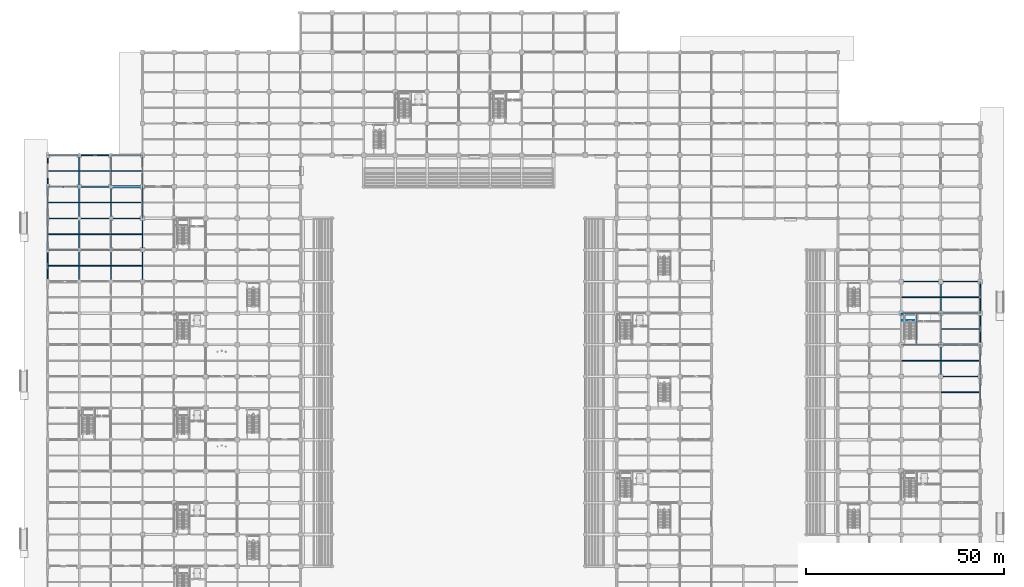
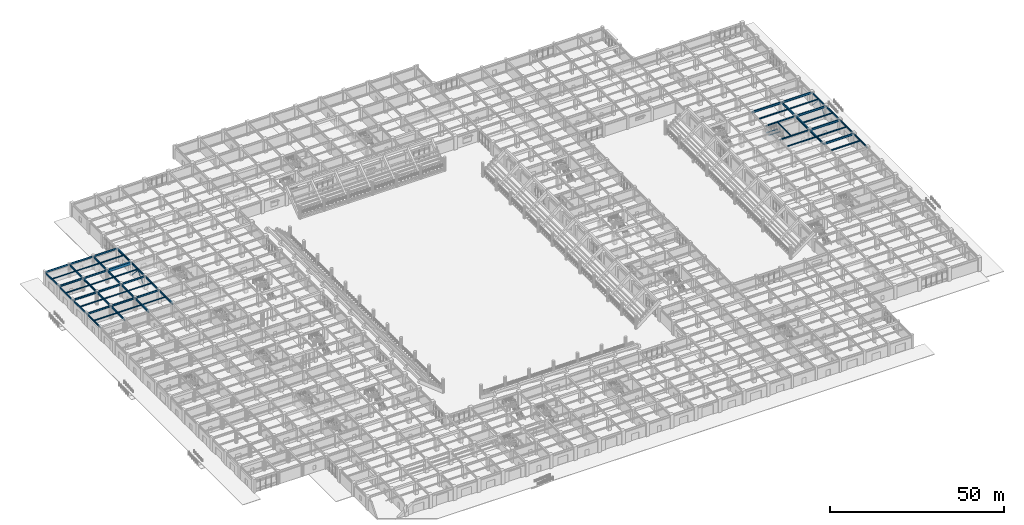
# One storey, part 42 of 125: 63 beams, 4 members.
"""IFC4 building model written with IfcOpenShell, lengths in metres."""

from ifc_helpers import new_model, si_unit, direction, frame, origin, origin_2d, place, context, subcontext, project, spatial, rectangle, hollow_rectangle, i_section, extrude, material, material_profile, profile_set, type_object, element, save


model = new_model("IFC4")

# Units and contexts
model_context = context("Model", 3, precision=1e-05, world=origin(), true_north=direction((0.0, 1.0)))
body_context = subcontext(model_context, "Body", "Model", "MODEL_VIEW")
ifc_project = project(units=[si_unit("LENGTHUNIT", "METRE"), si_unit("AREAUNIT", "SQUARE_METRE"), si_unit("VOLUMEUNIT", "CUBIC_METRE"), si_unit("PLANEANGLEUNIT", "RADIAN"), si_unit("MASSUNIT", "GRAM", prefix="KILO")], contexts=[model_context])

# Site, building, storey
site_placement = place(None, origin())
site = spatial("IfcSite", under=ifc_project, at=site_placement, CompositionType="ELEMENT")
building_placement = place(site_placement, origin())
building = spatial("IfcBuilding", under=site, at=building_placement, Name="Haebicheon Civic Stadium", CompositionType="ELEMENT")
storey_placement = place(building_placement, origin())
storey = spatial("IfcBuildingStorey", under=building, at=storey_placement, Name="L01", CompositionType="ELEMENT", Elevation=0.0)

# Beams
ifc_material_1 = material(Name="Steel SM355 (S355)", Category="steel")
ifc_material_profile_1 = material_profile(ifc_material_1, i_section(OverallWidth=0.199951171875, OverallDepth=0.5, WebThickness=0.010009765625, FlangeThickness=0.01611328125, at=origin_2d()), Name="H-500x200x10x16")
ifc_profile_set_1 = profile_set([ifc_material_profile_1], Name="Steel SM355 (S355)")
beam_type_1 = type_object("IfcBeamType", Name="BM-ST-H500", PredefinedType="BEAM", material=ifc_profile_set_1)
for number, where, z_axis, x_axis, name in (
    (1, (216.0, 104.0, 4.27001953125), (1.0, 0.0, 0.0), (0.0, 1.0, 0.0), "L01 beam P/28-29"),
    (2, (216.0, 112.0, 4.27001953125), (1.0, 0.0, 0.0), (0.0, 1.0, 0.0), "L01 beam Q/28-29"),
):
    element("IfcBeam", number, at=place(storey_placement, frame(where, z_axis=z_axis, x_axis=x_axis)), inside=storey, type_object=beam_type_1, material=ifc_profile_set_1, Name=name, PredefinedType="BEAM", context=body_context, shape_type="SweptSolid", body=[
        extrude(i_section(OverallWidth=0.199951171875, OverallDepth=0.5, WebThickness=0.010009765625, FlangeThickness=0.01611328125, at=origin_2d()), origin(), (0.0, 0.0, 1.0), 10.0),
    ])
beam_1_placement = place(storey_placement, frame((219.8798828125, 104.10009765625, 4.27001953125), z_axis=(0.0, 1.0, 0.0), x_axis=(-1.0, 0.0, 0.0)))
element("IfcBeam", 3, at=beam_1_placement, inside=storey, type_object=beam_type_1, material=ifc_profile_set_1, Name="L01 KC-13 core dividing wall support beam", PredefinedType="BEAM", context=body_context, shape_type="SweptSolid", body=[
    extrude(i_section(OverallWidth=0.199951171875, OverallDepth=0.5, WebThickness=0.010009765625, FlangeThickness=0.01611328125, at=origin_2d()), origin(), (0.0, 0.0, 1.0), 7.7998046875),
])
ifc_material_2 = material(Name="Steel SM355 (S355)", Category="steel")
ifc_material_profile_2 = material_profile(ifc_material_2, i_section(OverallWidth=0.300048828125, OverallDepth=0.60009765625, WebThickness=0.011962890625, FlangeThickness=0.02001953125, at=origin_2d()), Name="H-600x300x12x20")
ifc_profile_set_2 = profile_set([ifc_material_profile_2], Name="Steel SM355 (S355)")
beam_type_2 = type_object("IfcBeamType", Name="BM-ST-H600A", PredefinedType="BEAM", material=ifc_profile_set_2)
for number, where, z_axis, x_axis, name in (
    (4, (0.0, 128.0, 4.219970703125), (1.0, 0.0, 0.0), (0.0, 1.0, 0.0), "L01 beam S/1-2"),
    (5, (0.0, 136.0, 4.219970703125), (1.0, 0.0, 0.0), (0.0, 1.0, 0.0), "L01 beam T/1-2"),
    (6, (0.0, 144.0, 4.219970703125), (1.0, 0.0, 0.0), (0.0, 1.0, 0.0), "L01 beam U/1-2"),
    (7, (8.0, 128.0, 4.219970703125), (1.0, 0.0, 0.0), (0.0, 1.0, 0.0), "L01 beam S/2-3"),
    (8, (8.0, 136.0, 4.219970703125), (1.0, 0.0, 0.0), (0.0, 1.0, 0.0), "L01 beam T/2-3"),
    (9, (8.0, 144.0, 4.219970703125), (1.0, 0.0, 0.0), (0.0, 1.0, 0.0), "L01 beam U/2-3"),
    (10, (16.0, 128.0, 4.219970703125), (1.0, 0.0, 0.0), (0.0, 1.0, 0.0), "L01 beam S/3-4"),
    (11, (16.0, 136.0, 4.219970703125), (1.0, 0.0, 0.0), (0.0, 1.0, 0.0), "L01 beam T/3-4"),
):
    element("IfcBeam", number, at=place(storey_placement, frame(where, z_axis=z_axis, x_axis=x_axis)), inside=storey, type_object=beam_type_2, material=ifc_profile_set_2, Name=name, PredefinedType="BEAM", context=body_context, shape_type="SweptSolid", body=[
        extrude(i_section(OverallWidth=0.300048828125, OverallDepth=0.60009765625, WebThickness=0.011962890625, FlangeThickness=0.02001953125, at=origin_2d()), origin(), (0.0, 0.0, 1.0), 8.0),
    ])
ifc_material_3 = material(Name="Steel SM490", Category="steel")
ifc_material_profile_3 = material_profile(ifc_material_3, i_section(OverallWidth=0.300048828125, OverallDepth=0.699951171875, WebThickness=0.012939453125, FlangeThickness=0.02392578125, at=origin_2d()), Name="H-700x300x13x24")
ifc_profile_set_3 = profile_set([ifc_material_profile_3], Name="Steel SM490")
beam_type_3 = type_object("IfcBeamType", Name="BM-ST-H700", PredefinedType="BEAM", material=ifc_profile_set_3)
for number, where, z_axis, x_axis, name in (
    (12, (8.0, 120.0, 4.169921875), (0.0, 1.0, 0.0), (-1.0, 0.0, 0.0), "L01 girder 2/R-S"),
    (13, (8.0, 128.0, 4.169921875), (0.0, 1.0, 0.0), (-1.0, 0.0, 0.0), "L01 girder 2/S-T"),
    (14, (8.0, 136.0, 4.169921875), (0.0, 1.0, 0.0), (-1.0, 0.0, 0.0), "L01 girder 2/T-U"),
    (15, (8.0, 144.0, 4.22998046875), (0.0, 1.0, 0.0), (-1.0, 0.0, 0.0), "L01 girder 2/U-V"),
    (16, (16.0, 120.0, 4.169921875), (0.0, 1.0, 0.0), (-1.0, 0.0, 0.0), "L01 girder 3/R-S"),
    (17, (16.0, 128.0, 4.169921875), (0.0, 1.0, 0.0), (-1.0, 0.0, 0.0), "L01 girder 3/S-T"),
    (18, (16.0, 136.0, 4.169921875), (0.0, 1.0, 0.0), (-1.0, 0.0, 0.0), "L01 girder 3/T-U"),
    (19, (16.0, 144.0, 4.22998046875), (0.0, 1.0, 0.0), (-1.0, 0.0, 0.0), "L01 girder 3/U-V"),
    (20, (24.0, 120.0, 4.1298828125), (0.0, 1.0, 0.0), (-1.0, 0.0, 0.0), "L01 girder 4/R-S"),
    (21, (24.0, 128.0, 4.1298828125), (0.0, 1.0, 0.0), (-1.0, 0.0, 0.0), "L01 girder 4/S-T"),
    (22, (24.0, 136.0, 4.1298828125), (0.0, 1.0, 0.0), (-1.0, 0.0, 0.0), "L01 girder 4/T-U"),
    (23, (24.0, 144.0, 4.1298828125), (0.0, 1.0, 0.0), (-1.0, 0.0, 0.0), "L01 girder 4/U-V"),
    (24, (226.0, 96.0, 4.169921875), (0.0, 1.0, 0.0), (-1.0, 0.0, 0.0), "L01 girder 29/N-P"),
    (25, (226.0, 104.0, 4.169921875), (0.0, 1.0, 0.0), (-1.0, 0.0, 0.0), "L01 girder 29/P-Q"),
    (26, (226.0, 112.0, 4.169921875), (0.0, 1.0, 0.0), (-1.0, 0.0, 0.0), "L01 girder 29/Q-R"),
):
    element("IfcBeam", number, at=place(storey_placement, frame(where, z_axis=z_axis, x_axis=x_axis)), inside=storey, type_object=beam_type_3, material=ifc_profile_set_3, Name=name, PredefinedType="BEAM", context=body_context, shape_type="SweptSolid", body=[
        extrude(i_section(OverallWidth=0.300048828125, OverallDepth=0.699951171875, WebThickness=0.012939453125, FlangeThickness=0.02392578125, at=origin_2d()), origin(), (0.0, 0.0, 1.0), 8.0),
    ])
for number, where, z_axis, x_axis, name in (
    (27, (216.0, 120.0, 4.169921875), (1.0, 0.0, 0.0), (0.0, 1.0, 0.0), "L01 beam R/28-29"),
    (28, (226.0, 96.0, 4.169921875), (1.0, 0.0, 0.0), (0.0, 1.0, 0.0), "L01 beam N/29-30"),
    (29, (226.0, 104.0, 4.169921875), (1.0, 0.0, 0.0), (0.0, 1.0, 0.0), "L01 beam P/29-30"),
    (30, (226.0, 112.0, 4.169921875), (1.0, 0.0, 0.0), (0.0, 1.0, 0.0), "L01 beam Q/29-30"),
    (31, (226.0, 120.0, 4.169921875), (1.0, 0.0, 0.0), (0.0, 1.0, 0.0), "L01 beam R/29-30"),
):
    element("IfcBeam", number, at=place(storey_placement, frame(where, z_axis=z_axis, x_axis=x_axis)), inside=storey, type_object=beam_type_3, material=ifc_profile_set_3, Name=name, PredefinedType="BEAM", context=body_context, shape_type="SweptSolid", body=[
        extrude(i_section(OverallWidth=0.300048828125, OverallDepth=0.699951171875, WebThickness=0.012939453125, FlangeThickness=0.02392578125, at=origin_2d()), origin(), (0.0, 0.0, 1.0), 10.0),
    ])
ifc_material_4 = material(Name="Precast concrete C40/50", Category="concrete")
ifc_material_profile_4 = material_profile(ifc_material_4, rectangle(XDim=0.60009765625, YDim=0.85009765625, at=origin_2d()), Name="PC-TB-600x850")
ifc_profile_set_4 = profile_set([ifc_material_profile_4], Name="Precast concrete C40/50")
beam_type_4 = type_object("IfcBeamType", Name="BM-TB-600x850", PredefinedType="T_BEAM", material=ifc_profile_set_4)
beam_2_placement = place(storey_placement, frame((16.0, 144.0, 4.094970703125), z_axis=(1.0, 0.0, 0.0), x_axis=(0.0, 1.0, 0.0)))
element("IfcBeam", 32, at=beam_2_placement, inside=storey, type_object=beam_type_4, material=ifc_profile_set_4, Name="L01 beam U/3-4", PredefinedType="T_BEAM", context=body_context, shape_type="SweptSolid", body=[
    extrude(rectangle(XDim=0.60009765625, YDim=0.85009765625, at=origin_2d()), origin(), (0.0, 0.0, 1.0), 8.0),
])

# Members
ifc_material_5 = material(Name="Steel SM490", Category="steel")
ifc_material_profile_5 = material_profile(ifc_material_5, hollow_rectangle(XDim=0.25, YDim=0.25, WallThickness=0.011962890625, at=origin_2d()), Name="RHS-250x250x12.0")
ifc_profile_set_5 = profile_set([ifc_material_profile_5], Name="Steel SM490")
member_type = type_object("IfcMemberType", Name="BRC-RHS250", PredefinedType="BRACE", material=ifc_profile_set_5)
for number, where, z_axis, x_axis, name in (
    (33, (24.0, 136.419921875, 0.0400390625), (0.0, 0.676254882326, 0.736667723014), (-1.0, 0.0, 0.0), "BR250 chevron brace L01 03-17 A"),
    (34, (24.0, 143.580078125, 0.0400390625), (0.0, -0.676254882326, 0.736667723014), (1.0, 0.0, 0.0), "BR250 chevron brace L01 03-17 B"),
    (35, (236.0, 112.419921875, 0.0400390625), (0.0, 0.676254882326, 0.736667723014), (-1.0, 0.0, 0.0), "BR250 chevron brace L01 28-14 A"),
    (36, (236.0, 119.580078125, 0.0400390625), (0.0, -0.676254882326, 0.736667723014), (1.0, 0.0, 0.0), "BR250 chevron brace L01 28-14 B"),
):
    element("IfcMember", number, at=place(storey_placement, frame(where, z_axis=z_axis, x_axis=x_axis)), inside=storey, type_object=member_type, material=ifc_profile_set_5, Name=name, PredefinedType="BRACE", context=body_context, shape_type="SweptSolid", body=[
        extrude(hollow_rectangle(XDim=0.25, YDim=0.25, WallThickness=0.011962890625, at=origin_2d()), origin(), (0.0, 0.0, 1.0), 5.2939453125),
    ])

# Beams
ifc_material_6 = material(Name="Steel SM355 (S355)", Category="steel")
ifc_material_profile_6 = material_profile(ifc_material_6, i_section(OverallWidth=0.125, OverallDepth=0.25, WebThickness=0.006103515625, FlangeThickness=0.009033203125, at=origin_2d()), Name="H-250x125x6x9")
ifc_profile_set_6 = profile_set([ifc_material_profile_6], Name="Steel SM355 (S355)")
beam_type_5 = type_object("IfcBeamType", Name="JST-ST-H250", PredefinedType="JOIST", material=ifc_profile_set_6)
for number, where, z_axis, x_axis, name in (
    (37, (216.080078125, 110.169921875, 2.072021484375), (1.0, 0.0, 0.0), (0.0, 1.0, 0.0), "KC-13 L01 stair half-landing front trimmer beam"),
    (38, (216.080078125, 111.6201171875, 2.072021484375), (1.0, 0.0, 0.0), (0.0, 1.0, 0.0), "KC-13 L01 stair half-landing rear trimmer beam"),
):
    element("IfcBeam", number, at=place(storey_placement, frame(where, z_axis=z_axis, x_axis=x_axis)), inside=storey, type_object=beam_type_5, material=ifc_profile_set_6, Name=name, PredefinedType="JOIST", context=body_context, shape_type="SweptSolid", body=[
        extrude(i_section(OverallWidth=0.125, OverallDepth=0.25, WebThickness=0.006103515625, FlangeThickness=0.009033203125, at=origin_2d()), origin(), (0.0, 0.0, 1.0), 3.719970703125),
    ])
ifc_material_7 = material(Name="Steel SM355 (S355)", Category="steel")
ifc_material_profile_7 = material_profile(ifc_material_7, i_section(OverallWidth=0.199951171875, OverallDepth=0.39990234375, WebThickness=0.008056640625, FlangeThickness=0.012939453125, at=origin_2d()), Name="H-400x200x8x13")
ifc_profile_set_7 = profile_set([ifc_material_profile_7], Name="Steel SM355 (S355)")
beam_type_6 = type_object("IfcBeamType", Name="JST-ST-H400", PredefinedType="JOIST", material=ifc_profile_set_7)
for number, where, z_axis, x_axis, name in (
    (39, (0.10009765625, 124.0, 4.320068359375), (1.0, 0.0, 0.0), (0.0, 1.0, 0.0), "L01 secondary joist 00-15"),
    (40, (0.10009765625, 132.0, 4.320068359375), (1.0, 0.0, 0.0), (0.0, 1.0, 0.0), "L01 secondary joist 00-16"),
    (41, (0.10009765625, 140.0, 4.320068359375), (1.0, 0.0, 0.0), (0.0, 1.0, 0.0), "L01 secondary joist 00-17"),
    (42, (0.10009765625, 148.0, 4.3798828125), (1.0, 0.0, 0.0), (0.0, 1.0, 0.0), "L01 secondary joist 00-18"),
):
    element("IfcBeam", number, at=place(storey_placement, frame(where, z_axis=z_axis, x_axis=x_axis)), inside=storey, type_object=beam_type_6, material=ifc_profile_set_7, Name=name, PredefinedType="JOIST", context=body_context, shape_type="SweptSolid", body=[
        extrude(i_section(OverallWidth=0.199951171875, OverallDepth=0.39990234375, WebThickness=0.008056640625, FlangeThickness=0.012939453125, at=origin_2d()), origin(), (0.0, 0.0, 1.0), 7.75),
    ])
for number, where, z_axis, x_axis, name in (
    (43, (8.14990234375, 124.0, 4.320068359375), (1.0, 0.0, 0.0), (0.0, 1.0, 0.0), "L01 secondary joist 01-15"),
    (44, (8.14990234375, 132.0, 4.320068359375), (1.0, 0.0, 0.0), (0.0, 1.0, 0.0), "L01 secondary joist 01-16"),
    (45, (8.14990234375, 140.0, 4.320068359375), (1.0, 0.0, 0.0), (0.0, 1.0, 0.0), "L01 secondary joist 01-17"),
    (46, (8.14990234375, 148.0, 4.3798828125), (1.0, 0.0, 0.0), (0.0, 1.0, 0.0), "L01 secondary joist 01-18"),
    (47, (16.14990234375, 124.0, 4.320068359375), (1.0, 0.0, 0.0), (0.0, 1.0, 0.0), "L01 secondary joist 02-15"),
    (48, (16.14990234375, 132.0, 4.320068359375), (1.0, 0.0, 0.0), (0.0, 1.0, 0.0), "L01 secondary joist 02-16"),
    (49, (16.14990234375, 140.0, 4.320068359375), (1.0, 0.0, 0.0), (0.0, 1.0, 0.0), "L01 secondary joist 02-17"),
    (50, (16.14990234375, 148.0, 4.3798828125), (1.0, 0.0, 0.0), (0.0, 1.0, 0.0), "L01 secondary joist 02-18"),
):
    element("IfcBeam", number, at=place(storey_placement, frame(where, z_axis=z_axis, x_axis=x_axis)), inside=storey, type_object=beam_type_6, material=ifc_profile_set_7, Name=name, PredefinedType="JOIST", context=body_context, shape_type="SweptSolid", body=[
        extrude(i_section(OverallWidth=0.199951171875, OverallDepth=0.39990234375, WebThickness=0.008056640625, FlangeThickness=0.012939453125, at=origin_2d()), origin(), (0.0, 0.0, 1.0), 7.7001953125),
    ])
ifc_material_8 = material(Name="Steel SM355 (S355)", Category="steel")
ifc_material_profile_8 = material_profile(ifc_material_8, i_section(OverallWidth=0.199951171875, OverallDepth=0.449951171875, WebThickness=0.009033203125, FlangeThickness=0.013916015625, at=origin_2d()), Name="H-450x200x9x14")
ifc_profile_set_8 = profile_set([ifc_material_profile_8], Name="Steel SM355 (S355)")
beam_type_7 = type_object("IfcBeamType", Name="JST-ST-H450", PredefinedType="JOIST", material=ifc_profile_set_8)
for number, where, z_axis, x_axis, name in (
    (51, (216.14990234375, 100.0, 4.294921875), (1.0, 0.0, 0.0), (0.0, 1.0, 0.0), "L01 secondary joist 27-12"),
    (52, (216.14990234375, 116.0, 4.294921875), (1.0, 0.0, 0.0), (0.0, 1.0, 0.0), "L01 secondary joist 27-14"),
):
    element("IfcBeam", number, at=place(storey_placement, frame(where, z_axis=z_axis, x_axis=x_axis)), inside=storey, type_object=beam_type_7, material=ifc_profile_set_8, Name=name, PredefinedType="JOIST", context=body_context, shape_type="SweptSolid", body=[
        extrude(i_section(OverallWidth=0.199951171875, OverallDepth=0.449951171875, WebThickness=0.009033203125, FlangeThickness=0.013916015625, at=origin_2d()), origin(), (0.0, 0.0, 1.0), 9.7001953125),
    ])
for number, where, z_axis, x_axis, name in (
    (53, (226.14990234375, 92.0, 4.294921875), (1.0, 0.0, 0.0), (0.0, 1.0, 0.0), "L01 secondary joist 28-11"),
    (54, (226.14990234375, 100.0, 4.294921875), (1.0, 0.0, 0.0), (0.0, 1.0, 0.0), "L01 secondary joist 28-12"),
    (55, (226.14990234375, 108.0, 4.294921875), (1.0, 0.0, 0.0), (0.0, 1.0, 0.0), "L01 secondary joist 28-13"),
    (56, (226.14990234375, 116.0, 4.294921875), (1.0, 0.0, 0.0), (0.0, 1.0, 0.0), "L01 secondary joist 28-14"),
):
    element("IfcBeam", number, at=place(storey_placement, frame(where, z_axis=z_axis, x_axis=x_axis)), inside=storey, type_object=beam_type_7, material=ifc_profile_set_8, Name=name, PredefinedType="JOIST", context=body_context, shape_type="SweptSolid", body=[
        extrude(i_section(OverallWidth=0.199951171875, OverallDepth=0.449951171875, WebThickness=0.009033203125, FlangeThickness=0.013916015625, at=origin_2d()), origin(), (0.0, 0.0, 1.0), 9.75),
    ])
ifc_material_9 = material(Name="Steel SM355 (S355)", Category="steel")
ifc_material_profile_9 = material_profile(ifc_material_9, i_section(OverallWidth=0.199951171875, OverallDepth=0.60009765625, WebThickness=0.010986328125, FlangeThickness=0.01708984375, at=origin_2d()), Name="H-600x200x11x17")
ifc_profile_set_9 = profile_set([ifc_material_profile_9], Name="Steel SM355 (S355)")
beam_type_8 = type_object("IfcBeamType", Name="SPD-ST-H600B", PredefinedType="SPANDREL", material=ifc_profile_set_9)
for number, where, z_axis, x_axis, name in (
    (57, (0.0, 120.0, 4.219970703125), (0.0, 1.0, 0.0), (-1.0, 0.0, 0.0), "L01 girder 1/R-S"),
    (58, (0.0, 128.0, 4.219970703125), (0.0, 1.0, 0.0), (-1.0, 0.0, 0.0), "L01 girder 1/S-T"),
    (59, (0.0, 136.0, 4.219970703125), (0.0, 1.0, 0.0), (-1.0, 0.0, 0.0), "L01 girder 1/T-U"),
    (60, (0.0, 144.0, 4.280029296875), (0.0, 1.0, 0.0), (-1.0, 0.0, 0.0), "L01 girder 1/U-V"),
    (61, (236.0, 88.0, 4.219970703125), (0.0, 1.0, 0.0), (-1.0, 0.0, 0.0), "L01 girder 30/M-N"),
    (62, (236.0, 96.0, 4.219970703125), (0.0, 1.0, 0.0), (-1.0, 0.0, 0.0), "L01 girder 30/N-P"),
    (63, (236.0, 104.0, 4.219970703125), (0.0, 1.0, 0.0), (-1.0, 0.0, 0.0), "L01 girder 30/P-Q"),
    (64, (236.0, 112.0, 4.219970703125), (0.0, 1.0, 0.0), (-1.0, 0.0, 0.0), "L01 girder 30/Q-R"),
    (65, (0.0, 152.0, 4.280029296875), (1.0, 0.0, 0.0), (0.0, 1.0, 0.0), "L01 beam V/1-2"),
    (66, (8.0, 152.0, 4.280029296875), (1.0, 0.0, 0.0), (0.0, 1.0, 0.0), "L01 beam V/2-3"),
    (67, (16.0, 152.0, 4.280029296875), (1.0, 0.0, 0.0), (0.0, 1.0, 0.0), "L01 beam V/3-4"),
):
    element("IfcBeam", number, at=place(storey_placement, frame(where, z_axis=z_axis, x_axis=x_axis)), inside=storey, type_object=beam_type_8, material=ifc_profile_set_9, Name=name, PredefinedType="SPANDREL", context=body_context, shape_type="SweptSolid", body=[
        extrude(i_section(OverallWidth=0.199951171875, OverallDepth=0.60009765625, WebThickness=0.010986328125, FlangeThickness=0.01708984375, at=origin_2d()), origin(), (0.0, 0.0, 1.0), 8.0),
    ])

save(model, "model.ifc")
